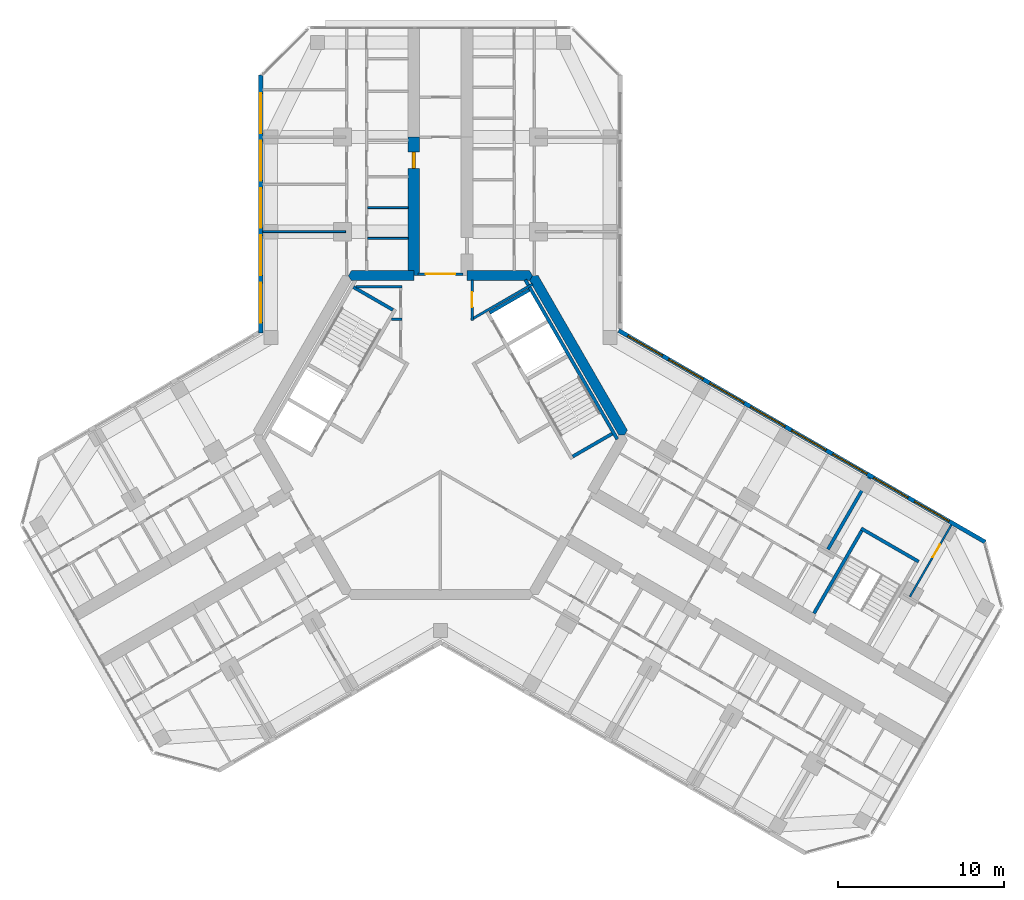
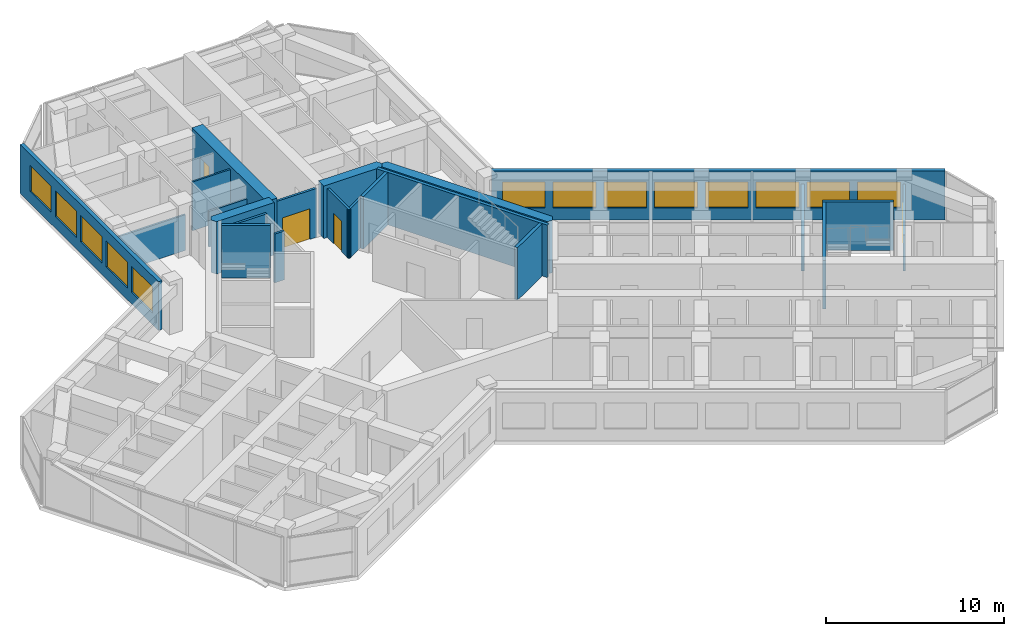
# One storey, part 13 of 16: 22 walls, 13 windows, 4 doors, 17 openings.
"""IFC4 building model written with IfcOpenShell, lengths in metres."""

import ifcopenshell
import ifcopenshell.guid

model = None  # the IFC model being written
_history = None  # IfcOwnerHistory: only IFC2X3 demands one
_inside = {}  # id of a spatial element -> (the spatial element, [elements in it])
_under = {}  # id of a project, library or spatial element -> (it, [spatial elements below it])
_declared = {}  # id of a project -> (the project, [libraries it declares])
_typed = {}  # id of a type object -> (the type object, [elements of that type])
_made_of = {}  # id of a material, layer set ... -> (it, [elements and type objects made of it])


def new_model(schema):
    """Start an empty IFC model of exactly this schema.

    Asked for "IFC4X3", IfcOpenShell would pick the latest addendum, in which some entities
    have other attributes; the version numbers below select the first issue.
    IFC2X3 requires an IfcOwnerHistory on every rooted entity: one is made here for all.
    """
    global model, _history
    if schema == "IFC4X3":
        model = ifcopenshell.file(schema_version=(4, 3, 0, 0))
    else:
        model = ifcopenshell.file(schema=schema)
    _inside.clear()
    _under.clear()
    _declared.clear()
    _typed.clear()
    _made_of.clear()
    _history = None
    if model.schema == "IFC2X3":
        org = make("IfcOrganization", Name="unknown")
        user = make(
            "IfcPersonAndOrganization",
            ThePerson=make("IfcPerson", FamilyName="unknown"),
            TheOrganization=org,
        )
        app = make(
            "IfcApplication",
            ApplicationDeveloper=org,
            Version="unknown",
            ApplicationFullName="unknown",
            ApplicationIdentifier="unknown",
        )
        _history = make(
            "IfcOwnerHistory",
            OwningUser=user,
            OwningApplication=app,
            ChangeAction="ADDED",
            CreationDate=0,
        )
    return model


def make(cls, **values):
    """One entity of the class cls with the attributes given. An attribute that is None is left unset."""
    return model.create_entity(
        cls, **{name: value for name, value in values.items() if value is not None}
    )


def rooted(cls, **values):
    """An entity with a GlobalId (a new one), such as an element, a storey or a relation."""
    return make(cls, GlobalId=ifcopenshell.guid.new(), OwnerHistory=_history, **values)


def si_unit(unit_type, name, prefix=None):
    """IfcSIUnit, for example si_unit("LENGTHUNIT", "METRE", prefix="MILLI")."""
    return make("IfcSIUnit", UnitType=unit_type, Prefix=prefix, Name=name)


def assignment(units):
    """IfcUnitAssignment: the units of a project."""
    return None if units is None else make("IfcUnitAssignment", Units=units)


def point(xyz):
    """IfcCartesianPoint."""
    return None if xyz is None else make("IfcCartesianPoint", Coordinates=xyz)


def direction(xyz):
    """IfcDirection."""
    return None if xyz is None else make("IfcDirection", DirectionRatios=xyz)


def frame(location, z_axis=None, x_axis=None):
    """IfcAxis2Placement3D, a coordinate frame: its origin and axes. An axis left out is left unset."""
    return make(
        "IfcAxis2Placement3D",
        Location=point(location),
        Axis=direction(z_axis),
        RefDirection=direction(x_axis),
    )


def frame_2d(location, x_axis=None):
    """IfcAxis2Placement2D, a coordinate frame in the plane: its origin and x axis."""
    return make(
        "IfcAxis2Placement2D", Location=point(location), RefDirection=direction(x_axis)
    )


def origin():
    """The frame at (0, 0, 0) with its axes left unset."""
    return frame((0.0, 0.0, 0.0))


def place(relative_to, where):
    """IfcLocalPlacement: puts the frame where relative to a parent placement (None: the world)."""
    return make(
        "IfcLocalPlacement", PlacementRelTo=relative_to, RelativePlacement=where
    )


def context(
    kind, dimensions, precision=None, world=None, true_north=None, identifier=None
):
    """IfcGeometricRepresentationContext, for example the 3D "Model" context."""
    return make(
        "IfcGeometricRepresentationContext",
        ContextIdentifier=identifier,
        ContextType=kind,
        CoordinateSpaceDimension=dimensions,
        Precision=precision,
        WorldCoordinateSystem=world,
        TrueNorth=true_north,
    )


def subcontext(parent, identifier, kind, view, scale=None):
    """IfcGeometricRepresentationSubContext, for example "Body" below "Model"."""
    return make(
        "IfcGeometricRepresentationSubContext",
        ContextIdentifier=identifier,
        ContextType=kind,
        ParentContext=parent,
        TargetScale=scale,
        TargetView=view,
    )


def project(units=None, contexts=None):
    """IfcProject with its units and contexts."""
    return rooted(
        "IfcProject",
        Name="project",
        RepresentationContexts=contexts,
        UnitsInContext=assignment(units),
    )


def spatial(cls, under=None, at=None, **own):
    """A site, building, storey or space (cls), placed at a placement, below another one or the project."""
    s = rooted(cls, ObjectPlacement=at, **own)
    if under is not None:
        _under.setdefault(under.id(), (under, []))[1].append(s)
    return s


def polyline(points):
    """IfcPolyline through the points."""
    return make("IfcPolyline", Points=[point(p) for p in points])


def profile(cls, at=None, kind="AREA", **sizes):
    """A parametric profile (cls). Its sizes go by their IFC names, for example OverallWidth=200.0."""
    return make(cls, ProfileType=kind, Position=at, **sizes)


def rectangle(**sizes):
    """IfcRectangleProfileDef."""
    return profile("IfcRectangleProfileDef", **sizes)


def outline(outer, holes=None, kind="AREA"):
    """IfcArbitraryClosedProfileDef: a profile drawn as a closed curve; with holes, ...WithVoids."""
    if holes is None:
        return make("IfcArbitraryClosedProfileDef", ProfileType=kind, OuterCurve=outer)
    return make(
        "IfcArbitraryProfileDefWithVoids",
        ProfileType=kind,
        OuterCurve=outer,
        InnerCurves=holes,
    )


def extrude(swept, where, along, depth):
    """IfcExtrudedAreaSolid: the profile swept, set in the frame where, extruded along a direction by depth."""
    return make(
        "IfcExtrudedAreaSolid",
        SweptArea=swept,
        Position=where,
        ExtrudedDirection=direction(along),
        Depth=depth,
    )


def shape(context_of_items, identifier, shape_type, items):
    """IfcShapeRepresentation: the items that make up one representation, for example the "Body"."""
    return make(
        "IfcShapeRepresentation",
        ContextOfItems=context_of_items,
        RepresentationIdentifier=identifier,
        RepresentationType=shape_type,
        Items=items,
    )


def material(Name=None, Category=None):
    """IfcMaterial."""
    return make("IfcMaterial", Name=Name, Category=Category)


def layer(
    of_material, thickness, ventilated=None, Name=None, Category=None, Priority=None
):
    """IfcMaterialLayer: one layer of a wall or slab, of a material (None: an air gap)."""
    return make(
        "IfcMaterialLayer",
        Material=of_material,
        LayerThickness=thickness,
        IsVentilated=ventilated,
        Name=Name,
        Category=Category,
        Priority=Priority,
    )


def layer_set(layers, Name=None):
    """IfcMaterialLayerSet."""
    return make("IfcMaterialLayerSet", MaterialLayers=layers, LayerSetName=Name)


def made_of(thing, what):
    """Note that an element or type object is made of a material, layer set ...; save() writes the relation."""
    if what is not None:
        _made_of.setdefault(what.id(), (what, []))[1].append(thing)
    return thing


def type_object(cls, material=None, **own):
    """A type object (cls), such as IfcWallType, which elements share."""
    return made_of(rooted(cls, **own), material)


def element(
    cls,
    number,
    at=None,
    inside=None,
    cuts=None,
    type_object=None,
    material=None,
    context=None,
    identifier="Body",
    shape_type=None,
    held_by="IfcProductDefinitionShape",
    body=None,
    shapes=None,
    **own,
):
    """One element of the class cls, such as IfcWall. Its Tag is "e" and its number.

    at: its placement. inside: the storey or other place that contains it. cuts: it is an
    opening in that element (IfcRelVoidsElement). A single representation is given by context,
    identifier, shape_type and body (its items); several are given by shapes. held_by: the class
    of the entity that holds the representations. save() writes the other relations.
    """
    e = rooted(cls, Tag="e%d" % number, ObjectPlacement=at, **own)
    if body is not None:
        shapes = [shape(context, identifier, shape_type, body)]
    if shapes is not None:
        e.Representation = make(held_by, Representations=shapes)
    if inside is not None:
        _inside.setdefault(inside.id(), (inside, []))[1].append(e)
    if cuts is not None:
        rooted(
            "IfcRelVoidsElement", RelatingBuildingElement=cuts, RelatedOpeningElement=e
        )
    if type_object is not None:
        _typed.setdefault(type_object.id(), (type_object, []))[1].append(e)
    return made_of(e, material)


def fill(opening, filler):
    """IfcRelFillsElement: the door or window that sits in an opening."""
    return rooted(
        "IfcRelFillsElement",
        RelatingOpeningElement=opening,
        RelatedBuildingElement=filler,
    )


def aggregate(whole, parts):
    """IfcRelAggregates: a whole, such as a stair, and the parts it consists of."""
    return rooted("IfcRelAggregates", RelatingObject=whole, RelatedObjects=parts)


def save(model, path):
    """Write the relations noted so far, then the file.

    IfcRelAggregates (storeys below a building ...), IfcRelContainedInSpatialStructure (elements
    in a storey), IfcRelDefinesByType, IfcRelAssociatesMaterial and IfcRelDeclares: one each for
    every whole, place, type object, material and project.
    """
    for whole, parts in _under.values():
        aggregate(whole, parts)
    for where, things in _inside.values():
        rooted(
            "IfcRelContainedInSpatialStructure",
            RelatedElements=things,
            RelatingStructure=where,
        )
    for kind, things in _typed.values():
        rooted("IfcRelDefinesByType", RelatedObjects=things, RelatingType=kind)
    for what, things in _made_of.values():
        rooted("IfcRelAssociatesMaterial", RelatedObjects=things, RelatingMaterial=what)
    for by, libraries in _declared.values():
        rooted("IfcRelDeclares", RelatingContext=by, RelatedDefinitions=libraries)
    model.write(path)


model = new_model("IFC4")

# Units and contexts
model_context = context("Model", 3, precision=1e-05, world=origin(), true_north=direction((0.0, 1.0)))
body_context = subcontext(model_context, "Body", "Model", "MODEL_VIEW")
ifc_project = project(units=[si_unit("LENGTHUNIT", "METRE"), si_unit("AREAUNIT", "SQUARE_METRE"), si_unit("VOLUMEUNIT", "CUBIC_METRE"), si_unit("PLANEANGLEUNIT", "RADIAN"), si_unit("MASSUNIT", "GRAM", prefix="KILO")], contexts=[model_context])

# Site, building, storey
site_placement = place(None, origin())
site = spatial("IfcSite", under=ifc_project, at=site_placement, CompositionType="ELEMENT")
building_placement = place(site_placement, origin())
building = spatial("IfcBuilding", under=site, at=building_placement, Name="Kosmar Iwan School Tower", CompositionType="ELEMENT")
storey_placement = place(building_placement, frame((0.0, 0.0, 242.39990234375)))
storey = spatial("IfcBuildingStorey", under=building, at=storey_placement, Name="L61", CompositionType="ELEMENT", Elevation=242.39990234375)

# Walls
ifc_material_1 = material(Name="Gypsum board on steel studs, fire-rated", Category="steel")
ifc_layer_1 = layer(ifc_material_1, 0.14990234375)
ifc_layer_set_1 = layer_set([ifc_layer_1], Name="Core room partition 150")
wall_type_1 = type_object("IfcWallType", Name="Core room partition 150", PredefinedType="PARTITIONING", material=ifc_layer_set_1)
wall_1_placement = place(storey_placement, frame((-2.324951171875, 6.985107421875, 0.0), z_axis=(0.0, 0.0, 1.0), x_axis=(-1.0, 0.0, 0.0)))
element("IfcWall", 1, at=wall_1_placement, inside=storey, type_object=wall_type_1, Name="Core room partition L61-CW2", PredefinedType="PARTITIONING", context=body_context, shape_type="SweptSolid", body=[
    extrude(rectangle(XDim=0.623779296875, YDim=0.14990234375, at=frame_2d((0.31201171875, 0.0))), origin(), (0.0, 0.0, 1.0), 3.35009765625),
])
wall_2_placement = place(storey_placement, frame((-5.089599609375, 8.93994140625, 0.0), z_axis=(0.0, 0.0, 1.0), x_axis=(1.0, 0.0, 0.0)))
element("IfcWall", 2, at=wall_2_placement, inside=storey, type_object=wall_type_1, Name="Core room partition L61-CW3", PredefinedType="PARTITIONING", context=body_context, shape_type="SweptSolid", body=[
    extrude(rectangle(XDim=2.7646484375, YDim=0.14990234375, at=frame_2d((1.38232421875, 0.0))), origin(), (0.0, 0.0, 1.0), 3.35009765625),
])
wall_3_placement = place(storey_placement, frame((5.54296875, 9.089111328125, 0.0), z_axis=(0.0, 0.0, 1.0), x_axis=(-0.866045054481, -0.49996596245, 0.0)))
element("IfcWall", 3, at=wall_3_placement, inside=storey, type_object=wall_type_1, Name="Core room partition L61-CW8", PredefinedType="PARTITIONING", context=body_context, shape_type="SweptSolid", body=[
    extrude(rectangle(XDim=4.281494140625, YDim=0.14990234375, at=frame_2d((2.140625, 0.0))), origin(), (0.0, 0.0, 1.0), 3.35009765625),
])

# Wall, opening, door
wall_4_placement = place(storey_placement, frame((1.89990234375, 6.910888671875, 0.0), z_axis=(0.0, 0.0, 1.0), x_axis=(0.0, 1.0, 0.0)))
wall_4 = element("IfcWall", 4, at=wall_4_placement, inside=storey, type_object=wall_type_1, Name="Core room partition L61-CW9", PredefinedType="PARTITIONING", context=body_context, shape_type="SweptSolid", body=[
    extrude(rectangle(XDim=2.43408203125, YDim=0.14990234375, at=frame_2d((1.217041015625, 0.0))), origin(), (0.0, 0.0, 1.0), 3.35009765625),
])
opening_1_placement = place(wall_4_placement, frame((0.802001953125, 0.0, 0.0)))
opening_1 = element("IfcOpeningElement", 5, at=opening_1_placement, cuts=wall_4, Name="Opening D14", PredefinedType="OPENING", context=body_context, shape_type="SweptSolid", body=[
    extrude(rectangle(XDim=0.89990234375, YDim=2.10009765625, at=frame_2d((0.449951171875, 1.050048828125))), frame((0.0, 0.0869140625, 0.0), z_axis=(0.0, -1.0, 0.0), x_axis=(1.0, 0.0, 0.0)), (0.0, 0.0, 1.0), 0.173828125),
])
ifc_material_2 = material(Name="Timber fire door in steel frame", Category="steel")
door_type_1 = type_object("IfcDoorType", Name="Core room door 900x2100", OperationType="SINGLE_SWING_LEFT", PredefinedType="DOOR", material=ifc_material_2)
door_1_placement = place(opening_1_placement, origin())
door_1 = element("IfcDoor", 6, at=door_1_placement, inside=storey, type_object=door_type_1, Name="Linen store door L61 5", OperationType="SINGLE_SWING_RIGHT", OverallHeight=2.10009765625, OverallWidth=0.89990234375, PredefinedType="DOOR", context=body_context, shape_type="SweptSolid", body=[
    extrude(rectangle(XDim=0.89990234375, YDim=2.10009765625, at=frame_2d((0.449951171875, 1.050048828125))), frame((0.0, 0.02490234375, 0.0), z_axis=(0.0, -1.0, 0.0), x_axis=(1.0, 0.0, 0.0)), (0.0, 0.0, 1.0), 0.050048828125),
])
fill(opening_1, door_1)

# Walls
ifc_material_3 = material(Name="Concrete C50/60", Category="concrete")
ifc_layer_2 = layer(ifc_material_3, 0.60009765625)
ifc_layer_set_2 = layer_set([ifc_layer_2], Name="Core wall 600")
wall_type_2 = type_object("IfcWallType", Name="Core wall 600", PredefinedType="SHEAR", material=ifc_layer_set_2)
wall_5_placement = place(storey_placement, origin())
element("IfcWall", 7, at=wall_5_placement, inside=storey, type_object=wall_type_2, Name="Core wall F030", PredefinedType="SHEAR", context=body_context, shape_type="SweptSolid", body=[
    extrude(outline(polyline([(10.73876953125, 0.0), (11.085205078125, 0.0), (11.25830078125, 0.300048828125), (5.888916015625, 9.60009765625), (5.54248046875, 9.60009765625), (5.369384765625, 9.300048828125), (10.73876953125, 0.0)])), origin(), (0.0, 0.0, 1.0), 3.60009765625),
])
wall_6_placement = place(storey_placement, origin())
element("IfcWall", 8, at=wall_6_placement, inside=storey, type_object=wall_type_2, Name="Core wall F090a", PredefinedType="SHEAR", context=body_context, shape_type="SweptSolid", body=[
    extrude(outline(polyline([(1.60009765625, 9.300048828125), (5.369384765625, 9.300048828125), (5.54248046875, 9.60009765625), (5.369384765625, 9.89990234375), (1.60009765625, 9.89990234375), (1.60009765625, 9.300048828125)])), origin(), (0.0, 0.0, 1.0), 3.60009765625),
])
wall_7_placement = place(storey_placement, origin())
element("IfcWall", 9, at=wall_7_placement, inside=storey, type_object=wall_type_2, Name="Core wall F090b", PredefinedType="SHEAR", context=body_context, shape_type="SweptSolid", body=[
    extrude(outline(polyline([(-5.369384765625, 9.300048828125), (-1.60009765625, 9.300048828125), (-1.60009765625, 9.89990234375), (-5.369384765625, 9.89990234375), (-5.54248046875, 9.60009765625), (-5.369384765625, 9.300048828125)])), origin(), (0.0, 0.0, 1.0), 3.60009765625),
])

# Wall, opening, door
ifc_material_4 = material(Name="Concrete C50/60", Category="concrete")
ifc_layer_3 = layer(ifc_material_4, 0.699951171875)
ifc_layer_set_3 = layer_set([ifc_layer_3], Name="Corridor buttress wall 700")
wall_type_3 = type_object("IfcWallType", Name="Corridor buttress wall 700", PredefinedType="SHEAR", material=ifc_layer_set_3)
wall_8_placement = place(storey_placement, frame((-1.60009765625, 9.60009765625, 0.0), z_axis=(0.0, 0.0, 1.0), x_axis=(0.0, 1.0, 0.0)))
wall_8 = element("IfcWall", 10, at=wall_8_placement, inside=storey, type_object=wall_type_3, Name="Corridor wall AL", PredefinedType="SHEAR", context=body_context, shape_type="SweptSolid", body=[
    extrude(rectangle(XDim=8.349853515625, YDim=0.699951171875, at=frame_2d((4.1748046875, 0.0))), origin(), (0.0, 0.0, 1.0), 3.60009765625),
])
opening_2_placement = place(wall_8_placement, frame((6.449951171875, 0.0, 0.0)))
opening_2 = element("IfcOpeningElement", 11, at=opening_2_placement, cuts=wall_8, Name="Opening D1", PredefinedType="OPENING", context=body_context, shape_type="SweptSolid", body=[
    extrude(rectangle(XDim=1.0, YDim=2.10009765625, at=frame_2d((0.5, 1.050048828125))), frame((0.0, 0.362060546875, 0.0), z_axis=(0.0, -1.0, 0.0), x_axis=(1.0, 0.0, 0.0)), (0.0, 0.0, 1.0), 0.723876953125),
])
ifc_material_5 = material(Name="Timber fire door in steel frame", Category="steel")
door_type_2 = type_object("IfcDoorType", Name="Flat entrance door 1000x2100", OperationType="SINGLE_SWING_LEFT", PredefinedType="DOOR", material=ifc_material_5)
door_2_placement = place(opening_2_placement, origin())
door_2 = element("IfcDoor", 12, at=door_2_placement, inside=storey, type_object=door_type_2, Name="Flat L61-AL1 entrance door", OperationType="SINGLE_SWING_LEFT", OverallHeight=2.10009765625, OverallWidth=1.0, PredefinedType="DOOR", context=body_context, shape_type="SweptSolid", body=[
    extrude(rectangle(XDim=1.0, YDim=2.10009765625, at=frame_2d((0.5, 1.050048828125))), frame((0.0, 0.10009765625, 0.0), z_axis=(0.0, -1.0, 0.0), x_axis=(1.0, 0.0, 0.0)), (0.0, 0.0, 1.0), 0.199951171875),
])
fill(opening_2, door_2)

ifc_material_6 = material(Name="Steel framed glazed screen", Category="steel")
ifc_layer_4 = layer(ifc_material_6, 0.14990234375)
ifc_layer_set_4 = layer_set([ifc_layer_4], Name="Corridor screen wall 150")
wall_type_4 = type_object("IfcWallType", Name="Corridor screen wall 150", PredefinedType="PARTITIONING", material=ifc_layer_set_4)
wall_9_placement = place(storey_placement, frame((1.35009765625, 9.699951171875, 0.0), z_axis=(0.0, 0.0, 1.0), x_axis=(-1.0, 0.0, 0.0)))
wall_9 = element("IfcWall", 13, at=wall_9_placement, inside=storey, type_object=wall_type_4, Name="Corridor screen A L61", PredefinedType="PARTITIONING", context=body_context, shape_type="SweptSolid", body=[
    extrude(rectangle(XDim=2.7001953125, YDim=0.14990234375, at=frame_2d((1.35009765625, 0.0))), origin(), (0.0, 0.0, 1.0), 3.35009765625),
])
opening_3_placement = place(wall_9_placement, frame((0.449951171875, 0.0, 0.0)))
opening_3 = element("IfcOpeningElement", 14, at=opening_3_placement, cuts=wall_9, Name="Opening D9", PredefinedType="OPENING", context=body_context, shape_type="SweptSolid", body=[
    extrude(rectangle(XDim=1.800048828125, YDim=2.10009765625, at=frame_2d((0.89990234375, 1.050048828125))), frame((0.0, 0.0869140625, 0.0), z_axis=(0.0, -1.0, 0.0), x_axis=(1.0, 0.0, 0.0)), (0.0, 0.0, 1.0), 0.173828125),
])
ifc_material_7 = material(Name="Steel framed glazed smoke door", Category="steel")
door_type_3 = type_object("IfcDoorType", Name="Corridor smoke door pair 1800x2100", OperationType="DOUBLE_DOOR_DOUBLE_SWING", PredefinedType="DOOR", material=ifc_material_7)
door_3_placement = place(opening_3_placement, origin())
door_3 = element("IfcDoor", 15, at=door_3_placement, inside=storey, type_object=door_type_3, Name="Corridor doors A L61", OperationType="DOUBLE_DOOR_DOUBLE_SWING", OverallHeight=2.10009765625, OverallWidth=1.800048828125, PredefinedType="DOOR", context=body_context, shape_type="SweptSolid", body=[
    extrude(rectangle(XDim=1.800048828125, YDim=2.10009765625, at=frame_2d((0.89990234375, 1.050048828125))), frame((0.0, 0.02490234375, 0.0), z_axis=(0.0, -1.0, 0.0), x_axis=(1.0, 0.0, 0.0)), (0.0, 0.0, 1.0), 0.050048828125),
])
fill(opening_3, door_3)

# Walls
ifc_material_8 = material(Name="Gypsum board on steel studs", Category="steel")
ifc_layer_5 = layer(ifc_material_8, 0.1201171875)
ifc_layer_set_5 = layer_set([ifc_layer_5], Name="Dwelling partition 120")
wall_type_5 = type_object("IfcWallType", Name="Dwelling partition 120", PredefinedType="PARTITIONING", material=ifc_layer_set_5)
wall_10_placement = place(storey_placement, frame((-5.7099609375, 12.25, 0.0), z_axis=(0.0, 0.0, 1.0), x_axis=(-1.0, 0.0, 0.0)))
element("IfcWall", 16, at=wall_10_placement, inside=storey, type_object=wall_type_5, Name="Partition L61-AL1-X1", PredefinedType="PARTITIONING", context=body_context, shape_type="SweptSolid", body=[
    extrude(rectangle(XDim=4.989990234375, YDim=0.1201171875, at=frame_2d((2.4951171875, 0.0))), origin(), (0.0, 0.0, 1.0), 2.4501953125),
])
wall_11_placement = place(storey_placement, frame((-1.949951171875, 11.85009765625, 0.0), z_axis=(0.0, 0.0, 1.0), x_axis=(-1.0, 0.0, 0.0)))
element("IfcWall", 17, at=wall_11_placement, inside=storey, type_object=wall_type_5, Name="Partition L61-AL1-Y1", PredefinedType="PARTITIONING", context=body_context, shape_type="SweptSolid", body=[
    extrude(rectangle(XDim=2.43994140625, YDim=0.1201171875, at=frame_2d((1.219970703125, 0.0))), origin(), (0.0, 0.0, 1.0), 2.4501953125),
])
wall_12_placement = place(storey_placement, frame((-1.949951171875, 13.699951171875, 0.0), z_axis=(0.0, 0.0, 1.0), x_axis=(-1.0, 0.0, 0.0)))
element("IfcWall", 18, at=wall_12_placement, inside=storey, type_object=wall_type_5, Name="Partition L61-AL1-Y2", PredefinedType="PARTITIONING", context=body_context, shape_type="SweptSolid", body=[
    extrude(rectangle(XDim=2.43994140625, YDim=0.1201171875, at=frame_2d((1.219970703125, 0.0))), origin(), (0.0, 0.0, 1.0), 3.35009765625),
])

# Wall, opening, door
wall_13_placement = place(storey_placement, frame((28.27294921875, -9.72998046875, 0.0), z_axis=(0.0, 0.0, 1.0), x_axis=(0.499975153383, 0.86603974851, 0.0)))
wall_13 = element("IfcWall", 19, at=wall_13_placement, inside=storey, type_object=wall_type_5, Name="Partition L61-CL3-TX", PredefinedType="PARTITIONING", context=body_context, shape_type="SweptSolid", body=[
    extrude(rectangle(XDim=4.989990234375, YDim=0.1201171875, at=frame_2d((2.4951171875, 0.0))), origin(), (0.0, 0.0, 1.0), 2.4501953125),
])
opening_4_placement = place(wall_13_placement, frame((2.739990234375, 0.0, 0.0)))
opening_4 = element("IfcOpeningElement", 20, at=opening_4_placement, cuts=wall_13, Name="Opening D2", PredefinedType="OPENING", context=body_context, shape_type="SweptSolid", body=[
    extrude(rectangle(XDim=0.89990234375, YDim=2.10009765625, at=frame_2d((0.449951171875, 1.050048828125))), frame((0.0, 0.072021484375, 0.0), z_axis=(0.0, -1.0, 0.0), x_axis=(1.0, 0.0, 0.0)), (0.0, 0.0, 1.0), 0.14404296875),
])
ifc_material_9 = material(Name="Timber door in timber frame", Category="wood")
door_type_4 = type_object("IfcDoorType", Name="Internal door 900x2100", OperationType="SINGLE_SWING_LEFT", PredefinedType="DOOR", material=ifc_material_9)
door_4_placement = place(opening_4_placement, origin())
door_4 = element("IfcDoor", 21, at=door_4_placement, inside=storey, type_object=door_type_4, Name="Bedroom 1 door L61-CL3-T1", OperationType="SINGLE_SWING_RIGHT", OverallHeight=2.10009765625, OverallWidth=0.89990234375, PredefinedType="DOOR", context=body_context, shape_type="SweptSolid", body=[
    extrude(rectangle(XDim=0.89990234375, YDim=2.10009765625, at=frame_2d((0.449951171875, 1.050048828125))), frame((0.0, 0.02490234375, 0.0), z_axis=(0.0, -1.0, 0.0), x_axis=(1.0, 0.0, 0.0)), (0.0, 0.0, 1.0), 0.050048828125),
])
fill(opening_4, door_4)

# Walls
ifc_material_10 = material(Name="Concrete C35/45", Category="concrete")
ifc_layer_6 = layer(ifc_material_10, 0.199951171875)
ifc_layer_set_6 = layer_set([ifc_layer_6], Name="Escape stair wall 200")
wall_type_6 = type_object("IfcWallType", Name="Escape stair wall 200", PredefinedType="SHEAR", material=ifc_layer_set_6)
wall_14_placement = place(storey_placement, frame((22.49560546875, -10.736328125, 0.0), z_axis=(0.0, 0.0, 1.0), x_axis=(0.500013701029, 0.866017493347, 0.0)))
element("IfcWall", 22, at=wall_14_placement, inside=storey, type_object=wall_type_6, Name="Stair WS3 wall", PredefinedType="SHEAR", context=body_context, shape_type="SweptSolid", body=[
    extrude(rectangle(XDim=5.949951171875, YDim=0.199951171875, at=frame_2d((2.97509765625, 0.0))), origin(), (0.0, 0.0, 1.0), 3.330078125),
])
wall_15_placement = place(storey_placement, frame((25.334228515625, -5.6201171875, 0.0), z_axis=(0.0, 0.0, 1.0), x_axis=(0.866026010844, -0.49999894854, 0.0)))
element("IfcWall", 23, at=wall_15_placement, inside=storey, type_object=wall_type_6, Name="Stair WS3 wall", PredefinedType="SHEAR", context=body_context, shape_type="SweptSolid", body=[
    extrude(rectangle(XDim=4.0, YDim=0.199951171875, at=frame_2d((2.0, 0.0))), origin(), (0.0, 0.0, 1.0), 3.330078125),
])

# Wall, openings, windows
ifc_material_11 = material(Name="Black aluminium rainscreen on insulated framing", Category="aluminium")
ifc_layer_7 = layer(ifc_material_11, 0.25)
ifc_layer_set_7 = layer_set([ifc_layer_7], Name="External wall rainscreen 250")
wall_type_7 = type_object("IfcWallType", Name="External wall rainscreen 250", PredefinedType="SOLIDWALL", material=ifc_layer_set_7)
wall_16_placement = place(storey_placement, frame((10.73681640625, 6.30078125, 0.0), z_axis=(0.0, 0.0, 1.0), x_axis=(0.866026390279, -0.499998291337, 0.0)))
wall_16 = element("IfcWall", 24, at=wall_16_placement, inside=storey, type_object=wall_type_7, Name="External wall CL L61", PredefinedType="SOLIDWALL", context=body_context, shape_type="SweptSolid", body=[
    extrude(rectangle(XDim=25.4873046875, YDim=0.25, at=frame_2d((12.74365234375, 0.0))), origin(), (0.0, 0.0, 1.0), 3.35009765625),
])
opening_5_placement = place(wall_16_placement, frame((0.626953125, 0.0, 0.800048828125)))
opening_5 = element("IfcOpeningElement", 25, at=opening_5_placement, cuts=wall_16, Name="Opening W5", PredefinedType="OPENING", context=body_context, shape_type="SweptSolid", body=[
    extrude(rectangle(XDim=2.39990234375, YDim=1.800048828125, at=frame_2d((1.199951171875, 0.89990234375))), frame((0.0, 0.136962890625, 0.0), z_axis=(0.0, -1.0, 0.0), x_axis=(1.0, 0.0, 0.0)), (0.0, 0.0, 1.0), 0.27392578125),
])
opening_6_placement = place(wall_16_placement, frame((3.47705078125, 0.0, 0.800048828125)))
opening_6 = element("IfcOpeningElement", 26, at=opening_6_placement, cuts=wall_16, Name="Opening W5", PredefinedType="OPENING", context=body_context, shape_type="SweptSolid", body=[
    extrude(rectangle(XDim=2.39990234375, YDim=1.800048828125, at=frame_2d((1.199951171875, 0.89990234375))), frame((0.0, 0.136962890625, 0.0), z_axis=(0.0, -1.0, 0.0), x_axis=(1.0, 0.0, 0.0)), (0.0, 0.0, 1.0), 0.27392578125),
])
opening_7_placement = place(wall_16_placement, frame((6.326904296875, 0.0, 0.800048828125)))
opening_7 = element("IfcOpeningElement", 27, at=opening_7_placement, cuts=wall_16, Name="Opening W5", PredefinedType="OPENING", context=body_context, shape_type="SweptSolid", body=[
    extrude(rectangle(XDim=2.39990234375, YDim=1.800048828125, at=frame_2d((1.199951171875, 0.89990234375))), frame((0.0, 0.136962890625, 0.0), z_axis=(0.0, -1.0, 0.0), x_axis=(1.0, 0.0, 0.0)), (0.0, 0.0, 1.0), 0.27392578125),
])
opening_8_placement = place(wall_16_placement, frame((9.177001953125, 0.0, 0.800048828125)))
opening_8 = element("IfcOpeningElement", 28, at=opening_8_placement, cuts=wall_16, Name="Opening W5", PredefinedType="OPENING", context=body_context, shape_type="SweptSolid", body=[
    extrude(rectangle(XDim=2.39990234375, YDim=1.800048828125, at=frame_2d((1.199951171875, 0.89990234375))), frame((0.0, 0.136962890625, 0.0), z_axis=(0.0, -1.0, 0.0), x_axis=(1.0, 0.0, 0.0)), (0.0, 0.0, 1.0), 0.27392578125),
])
opening_9_placement = place(wall_16_placement, frame((12.027099609375, 0.0, 0.800048828125)))
opening_9 = element("IfcOpeningElement", 29, at=opening_9_placement, cuts=wall_16, Name="Opening W5", PredefinedType="OPENING", context=body_context, shape_type="SweptSolid", body=[
    extrude(rectangle(XDim=2.39990234375, YDim=1.800048828125, at=frame_2d((1.199951171875, 0.89990234375))), frame((0.0, 0.136962890625, 0.0), z_axis=(0.0, -1.0, 0.0), x_axis=(1.0, 0.0, 0.0)), (0.0, 0.0, 1.0), 0.27392578125),
])
opening_10_placement = place(wall_16_placement, frame((14.876953125, 0.0, 0.800048828125)))
opening_10 = element("IfcOpeningElement", 30, at=opening_10_placement, cuts=wall_16, Name="Opening W5", PredefinedType="OPENING", context=body_context, shape_type="SweptSolid", body=[
    extrude(rectangle(XDim=2.39990234375, YDim=1.800048828125, at=frame_2d((1.199951171875, 0.89990234375))), frame((0.0, 0.136962890625, 0.0), z_axis=(0.0, -1.0, 0.0), x_axis=(1.0, 0.0, 0.0)), (0.0, 0.0, 1.0), 0.27392578125),
])
opening_11_placement = place(wall_16_placement, frame((17.72705078125, 0.0, 0.800048828125)))
opening_11 = element("IfcOpeningElement", 31, at=opening_11_placement, cuts=wall_16, Name="Opening W5", PredefinedType="OPENING", context=body_context, shape_type="SweptSolid", body=[
    extrude(rectangle(XDim=2.39990234375, YDim=1.800048828125, at=frame_2d((1.199951171875, 0.89990234375))), frame((0.0, 0.136962890625, 0.0), z_axis=(0.0, -1.0, 0.0), x_axis=(1.0, 0.0, 0.0)), (0.0, 0.0, 1.0), 0.27392578125),
])
opening_12_placement = place(wall_16_placement, frame((20.576904296875, 0.0, 0.800048828125)))
opening_12 = element("IfcOpeningElement", 32, at=opening_12_placement, cuts=wall_16, Name="Opening W5", PredefinedType="OPENING", context=body_context, shape_type="SweptSolid", body=[
    extrude(rectangle(XDim=2.39990234375, YDim=1.800048828125, at=frame_2d((1.199951171875, 0.89990234375))), frame((0.0, 0.136962890625, 0.0), z_axis=(0.0, -1.0, 0.0), x_axis=(1.0, 0.0, 0.0)), (0.0, 0.0, 1.0), 0.27392578125),
])
ifc_material_12 = material(Name="Black aluminium frame with dark triple glazing", Category="aluminium")
window_type = type_object("IfcWindowType", Name="Window 2400x1800", PartitioningType="SINGLE_PANEL", PredefinedType="WINDOW", material=ifc_material_12)
window_1_placement = place(opening_5_placement, origin())
window_1 = element("IfcWindow", 33, at=window_1_placement, inside=storey, type_object=window_type, Name="Window CL L61 -1", OverallHeight=1.800048828125, OverallWidth=2.39990234375, PartitioningType="SINGLE_PANEL", PredefinedType="WINDOW", context=body_context, shape_type="SweptSolid", body=[
    extrude(rectangle(XDim=2.39990234375, YDim=1.800048828125, at=frame_2d((1.199951171875, 0.89990234375))), frame((0.0, 0.030029296875, 0.0), z_axis=(0.0, -1.0, 0.0), x_axis=(1.0, 0.0, 0.0)), (0.0, 0.0, 1.0), 0.06005859375),
])
fill(opening_5, window_1)
window_2_placement = place(opening_6_placement, origin())
window_2 = element("IfcWindow", 34, at=window_2_placement, inside=storey, type_object=window_type, Name="Window CL L61 0", OverallHeight=1.800048828125, OverallWidth=2.39990234375, PartitioningType="SINGLE_PANEL", PredefinedType="WINDOW", context=body_context, shape_type="SweptSolid", body=[
    extrude(rectangle(XDim=2.39990234375, YDim=1.800048828125, at=frame_2d((1.199951171875, 0.89990234375))), frame((0.0, 0.030029296875, 0.0), z_axis=(0.0, -1.0, 0.0), x_axis=(1.0, 0.0, 0.0)), (0.0, 0.0, 1.0), 0.06005859375),
])
fill(opening_6, window_2)
window_3_placement = place(opening_7_placement, origin())
window_3 = element("IfcWindow", 35, at=window_3_placement, inside=storey, type_object=window_type, Name="Window CL L61 1", OverallHeight=1.800048828125, OverallWidth=2.39990234375, PartitioningType="SINGLE_PANEL", PredefinedType="WINDOW", context=body_context, shape_type="SweptSolid", body=[
    extrude(rectangle(XDim=2.39990234375, YDim=1.800048828125, at=frame_2d((1.199951171875, 0.89990234375))), frame((0.0, 0.030029296875, 0.0), z_axis=(0.0, -1.0, 0.0), x_axis=(1.0, 0.0, 0.0)), (0.0, 0.0, 1.0), 0.06005859375),
])
fill(opening_7, window_3)
window_4_placement = place(opening_8_placement, origin())
window_4 = element("IfcWindow", 36, at=window_4_placement, inside=storey, type_object=window_type, Name="Window CL L61 2", OverallHeight=1.800048828125, OverallWidth=2.39990234375, PartitioningType="SINGLE_PANEL", PredefinedType="WINDOW", context=body_context, shape_type="SweptSolid", body=[
    extrude(rectangle(XDim=2.39990234375, YDim=1.800048828125, at=frame_2d((1.199951171875, 0.89990234375))), frame((0.0, 0.030029296875, 0.0), z_axis=(0.0, -1.0, 0.0), x_axis=(1.0, 0.0, 0.0)), (0.0, 0.0, 1.0), 0.06005859375),
])
fill(opening_8, window_4)
window_5_placement = place(opening_9_placement, origin())
window_5 = element("IfcWindow", 37, at=window_5_placement, inside=storey, type_object=window_type, Name="Window CL L61 3", OverallHeight=1.800048828125, OverallWidth=2.39990234375, PartitioningType="SINGLE_PANEL", PredefinedType="WINDOW", context=body_context, shape_type="SweptSolid", body=[
    extrude(rectangle(XDim=2.39990234375, YDim=1.800048828125, at=frame_2d((1.199951171875, 0.89990234375))), frame((0.0, 0.030029296875, 0.0), z_axis=(0.0, -1.0, 0.0), x_axis=(1.0, 0.0, 0.0)), (0.0, 0.0, 1.0), 0.06005859375),
])
fill(opening_9, window_5)
window_6_placement = place(opening_10_placement, origin())
window_6 = element("IfcWindow", 38, at=window_6_placement, inside=storey, type_object=window_type, Name="Window CL L61 4", OverallHeight=1.800048828125, OverallWidth=2.39990234375, PartitioningType="SINGLE_PANEL", PredefinedType="WINDOW", context=body_context, shape_type="SweptSolid", body=[
    extrude(rectangle(XDim=2.39990234375, YDim=1.800048828125, at=frame_2d((1.199951171875, 0.89990234375))), frame((0.0, 0.030029296875, 0.0), z_axis=(0.0, -1.0, 0.0), x_axis=(1.0, 0.0, 0.0)), (0.0, 0.0, 1.0), 0.06005859375),
])
fill(opening_10, window_6)
window_7_placement = place(opening_11_placement, origin())
window_7 = element("IfcWindow", 39, at=window_7_placement, inside=storey, type_object=window_type, Name="Window CL L61 5", OverallHeight=1.800048828125, OverallWidth=2.39990234375, PartitioningType="SINGLE_PANEL", PredefinedType="WINDOW", context=body_context, shape_type="SweptSolid", body=[
    extrude(rectangle(XDim=2.39990234375, YDim=1.800048828125, at=frame_2d((1.199951171875, 0.89990234375))), frame((0.0, 0.030029296875, 0.0), z_axis=(0.0, -1.0, 0.0), x_axis=(1.0, 0.0, 0.0)), (0.0, 0.0, 1.0), 0.06005859375),
])
fill(opening_11, window_7)
window_8_placement = place(opening_12_placement, origin())
window_8 = element("IfcWindow", 40, at=window_8_placement, inside=storey, type_object=window_type, Name="Window CL L61 6", OverallHeight=1.800048828125, OverallWidth=2.39990234375, PartitioningType="SINGLE_PANEL", PredefinedType="WINDOW", context=body_context, shape_type="SweptSolid", body=[
    extrude(rectangle(XDim=2.39990234375, YDim=1.800048828125, at=frame_2d((1.199951171875, 0.89990234375))), frame((0.0, 0.030029296875, 0.0), z_axis=(0.0, -1.0, 0.0), x_axis=(1.0, 0.0, 0.0)), (0.0, 0.0, 1.0), 0.06005859375),
])
fill(opening_12, window_8)

wall_17_placement = place(storey_placement, frame((-10.824951171875, 6.14794921875, 0.0), z_axis=(0.0, 0.0, 1.0), x_axis=(0.0, 1.0, 0.0)))
wall_17 = element("IfcWall", 41, at=wall_17_placement, inside=storey, type_object=wall_type_7, Name="External wall AL L61", PredefinedType="SOLIDWALL", context=body_context, shape_type="SweptSolid", body=[
    extrude(rectangle(XDim=15.537353515625, YDim=0.25, at=frame_2d((7.7685546875, 0.0))), origin(), (0.0, 0.0, 1.0), 3.35009765625),
])
opening_13_placement = place(wall_17_placement, frame((0.626953125, 0.0, 0.800048828125)))
opening_13 = element("IfcOpeningElement", 42, at=opening_13_placement, cuts=wall_17, Name="Opening W5", PredefinedType="OPENING", context=body_context, shape_type="SweptSolid", body=[
    extrude(rectangle(XDim=2.39990234375, YDim=1.800048828125, at=frame_2d((1.199951171875, 0.89990234375))), frame((0.0, 0.136962890625, 0.0), z_axis=(0.0, -1.0, 0.0), x_axis=(1.0, 0.0, 0.0)), (0.0, 0.0, 1.0), 0.27392578125),
])
opening_14_placement = place(wall_17_placement, frame((3.47705078125, 0.0, 0.800048828125)))
opening_14 = element("IfcOpeningElement", 43, at=opening_14_placement, cuts=wall_17, Name="Opening W5", PredefinedType="OPENING", context=body_context, shape_type="SweptSolid", body=[
    extrude(rectangle(XDim=2.39990234375, YDim=1.800048828125, at=frame_2d((1.199951171875, 0.89990234375))), frame((0.0, 0.136962890625, 0.0), z_axis=(0.0, -1.0, 0.0), x_axis=(1.0, 0.0, 0.0)), (0.0, 0.0, 1.0), 0.27392578125),
])
opening_15_placement = place(wall_17_placement, frame((6.326904296875, 0.0, 0.800048828125)))
opening_15 = element("IfcOpeningElement", 44, at=opening_15_placement, cuts=wall_17, Name="Opening W5", PredefinedType="OPENING", context=body_context, shape_type="SweptSolid", body=[
    extrude(rectangle(XDim=2.39990234375, YDim=1.800048828125, at=frame_2d((1.199951171875, 0.89990234375))), frame((0.0, 0.136962890625, 0.0), z_axis=(0.0, -1.0, 0.0), x_axis=(1.0, 0.0, 0.0)), (0.0, 0.0, 1.0), 0.27392578125),
])
opening_16_placement = place(wall_17_placement, frame((9.177001953125, 0.0, 0.800048828125)))
opening_16 = element("IfcOpeningElement", 45, at=opening_16_placement, cuts=wall_17, Name="Opening W5", PredefinedType="OPENING", context=body_context, shape_type="SweptSolid", body=[
    extrude(rectangle(XDim=2.39990234375, YDim=1.800048828125, at=frame_2d((1.199951171875, 0.89990234375))), frame((0.0, 0.136962890625, 0.0), z_axis=(0.0, -1.0, 0.0), x_axis=(1.0, 0.0, 0.0)), (0.0, 0.0, 1.0), 0.27392578125),
])
opening_17_placement = place(wall_17_placement, frame((12.027099609375, 0.0, 0.800048828125)))
opening_17 = element("IfcOpeningElement", 46, at=opening_17_placement, cuts=wall_17, Name="Opening W5", PredefinedType="OPENING", context=body_context, shape_type="SweptSolid", body=[
    extrude(rectangle(XDim=2.39990234375, YDim=1.800048828125, at=frame_2d((1.199951171875, 0.89990234375))), frame((0.0, 0.136962890625, 0.0), z_axis=(0.0, -1.0, 0.0), x_axis=(1.0, 0.0, 0.0)), (0.0, 0.0, 1.0), 0.27392578125),
])
window_9_placement = place(opening_13_placement, origin())
window_9 = element("IfcWindow", 47, at=window_9_placement, inside=storey, type_object=window_type, Name="Window AL L61 -1", OverallHeight=1.800048828125, OverallWidth=2.39990234375, PartitioningType="SINGLE_PANEL", PredefinedType="WINDOW", context=body_context, shape_type="SweptSolid", body=[
    extrude(rectangle(XDim=2.39990234375, YDim=1.800048828125, at=frame_2d((1.199951171875, 0.89990234375))), frame((0.0, 0.030029296875, 0.0), z_axis=(0.0, -1.0, 0.0), x_axis=(1.0, 0.0, 0.0)), (0.0, 0.0, 1.0), 0.06005859375),
])
fill(opening_13, window_9)
window_10_placement = place(opening_14_placement, origin())
window_10 = element("IfcWindow", 48, at=window_10_placement, inside=storey, type_object=window_type, Name="Window AL L61 0", OverallHeight=1.800048828125, OverallWidth=2.39990234375, PartitioningType="SINGLE_PANEL", PredefinedType="WINDOW", context=body_context, shape_type="SweptSolid", body=[
    extrude(rectangle(XDim=2.39990234375, YDim=1.800048828125, at=frame_2d((1.199951171875, 0.89990234375))), frame((0.0, 0.030029296875, 0.0), z_axis=(0.0, -1.0, 0.0), x_axis=(1.0, 0.0, 0.0)), (0.0, 0.0, 1.0), 0.06005859375),
])
fill(opening_14, window_10)
window_11_placement = place(opening_15_placement, origin())
window_11 = element("IfcWindow", 49, at=window_11_placement, inside=storey, type_object=window_type, Name="Window AL L61 1", OverallHeight=1.800048828125, OverallWidth=2.39990234375, PartitioningType="SINGLE_PANEL", PredefinedType="WINDOW", context=body_context, shape_type="SweptSolid", body=[
    extrude(rectangle(XDim=2.39990234375, YDim=1.800048828125, at=frame_2d((1.199951171875, 0.89990234375))), frame((0.0, 0.030029296875, 0.0), z_axis=(0.0, -1.0, 0.0), x_axis=(1.0, 0.0, 0.0)), (0.0, 0.0, 1.0), 0.06005859375),
])
fill(opening_15, window_11)
window_12_placement = place(opening_16_placement, origin())
window_12 = element("IfcWindow", 50, at=window_12_placement, inside=storey, type_object=window_type, Name="Window AL L61 2", OverallHeight=1.800048828125, OverallWidth=2.39990234375, PartitioningType="SINGLE_PANEL", PredefinedType="WINDOW", context=body_context, shape_type="SweptSolid", body=[
    extrude(rectangle(XDim=2.39990234375, YDim=1.800048828125, at=frame_2d((1.199951171875, 0.89990234375))), frame((0.0, 0.030029296875, 0.0), z_axis=(0.0, -1.0, 0.0), x_axis=(1.0, 0.0, 0.0)), (0.0, 0.0, 1.0), 0.06005859375),
])
fill(opening_16, window_12)
window_13_placement = place(opening_17_placement, origin())
window_13 = element("IfcWindow", 51, at=window_13_placement, inside=storey, type_object=window_type, Name="Window AL L61 3", OverallHeight=1.800048828125, OverallWidth=2.39990234375, PartitioningType="SINGLE_PANEL", PredefinedType="WINDOW", context=body_context, shape_type="SweptSolid", body=[
    extrude(rectangle(XDim=2.39990234375, YDim=1.800048828125, at=frame_2d((1.199951171875, 0.89990234375))), frame((0.0, 0.030029296875, 0.0), z_axis=(0.0, -1.0, 0.0), x_axis=(1.0, 0.0, 0.0)), (0.0, 0.0, 1.0), 0.06005859375),
])
fill(opening_17, window_13)

# Walls
ifc_material_13 = material(Name="Concrete C50/60", Category="concrete")
ifc_layer_8 = layer(ifc_material_13, 0.199951171875)
ifc_layer_set_8 = layer_set([ifc_layer_8], Name="Lift shaft wall 200")
wall_type_8 = type_object("IfcWallType", Name="Lift shaft wall 200", PredefinedType="SHEAR", material=ifc_layer_set_8)
wall_18_placement = place(storey_placement, frame((10.652099609375, -0.25, 0.0), z_axis=(0.0, 0.0, 1.0), x_axis=(-0.499990629522, 0.866030813765, 0.0)))
element("IfcWall", 52, at=wall_18_placement, inside=storey, type_object=wall_type_8, Name="Lift and stair back wall AC", PredefinedType="SHEAR", context=body_context, shape_type="SweptSolid", body=[
    extrude(rectangle(XDim=11.085205078125, YDim=0.199951171875, at=frame_2d((5.54248046875, 0.0))), origin(), (0.0, 0.0, 1.0), 3.60009765625),
])
wall_19_placement = place(storey_placement, frame((2.962646484375, 7.368408203125, 0.0), z_axis=(0.0, 0.0, 1.0), x_axis=(0.866027397988, 0.499996545922, 0.0)))
element("IfcWall", 53, at=wall_19_placement, inside=storey, type_object=wall_type_8, Name="Lift shaft wall AC 2", PredefinedType="SHEAR", context=body_context, shape_type="SweptSolid", body=[
    extrude(rectangle(XDim=2.75, YDim=0.199951171875, at=frame_2d((1.375, 0.0))), origin(), (0.0, 0.0, 1.0), 3.60009765625),
])
ifc_material_14 = material(Name="Concrete block masonry", Category="masonry")
ifc_layer_9 = layer(ifc_material_14, 0.199951171875)
ifc_layer_set_9 = layer_set([ifc_layer_9], Name="Party wall 200")
wall_type_9 = type_object("IfcWallType", Name="Party wall 200", PredefinedType="PARTITIONING", material=ifc_layer_set_9)
wall_20_placement = place(storey_placement, frame((23.33642578125, -6.8798828125, 0.0), z_axis=(0.0, 0.0, 1.0), x_axis=(0.500033033937, 0.866006330792, 0.0)))
element("IfcWall", 54, at=wall_20_placement, inside=storey, type_object=wall_type_9, Name="Partition L61-CL3-TB", PredefinedType="PARTITIONING", context=body_context, shape_type="SweptSolid", body=[
    extrude(rectangle(XDim=4.989990234375, YDim=0.199951171875, at=frame_2d((2.4951171875, 0.0))), origin(), (0.0, 0.0, 1.0), 2.4501953125),
])
ifc_material_15 = material(Name="Concrete C50/60", Category="concrete")
ifc_layer_10 = layer(ifc_material_15, 0.199951171875)
ifc_layer_set_10 = layer_set([ifc_layer_10], Name="Stair enclosure wall 200")
wall_type_10 = type_object("IfcWallType", Name="Stair enclosure wall 200", PredefinedType="SHEAR", material=ifc_layer_set_10)
for number, where, z_axis, x_axis, name in (
    (55, (-2.862548828125, 7.541748046875, 0.0), (0.0, 0.0, 1.0), (-0.866027397988, 0.499996545922, 0.0), "Stair ST2 wall"),
    (56, (7.962646484375, -1.291748046875, 0.0), (0.0, 0.0, 1.0), (0.866027397988, 0.499996545922, 0.0), "Stair ST1 wall"),
):
    element("IfcWall", number, at=place(storey_placement, frame(where, z_axis=z_axis, x_axis=x_axis)), inside=storey, type_object=wall_type_10, Name=name, PredefinedType="SHEAR", context=body_context, shape_type="SweptSolid", body=[
        extrude(rectangle(XDim=2.75, YDim=0.199951171875, at=frame_2d((1.375, 0.0))), origin(), (0.0, 0.0, 1.0), 3.60009765625),
    ])

save(model, "model.ifc")
